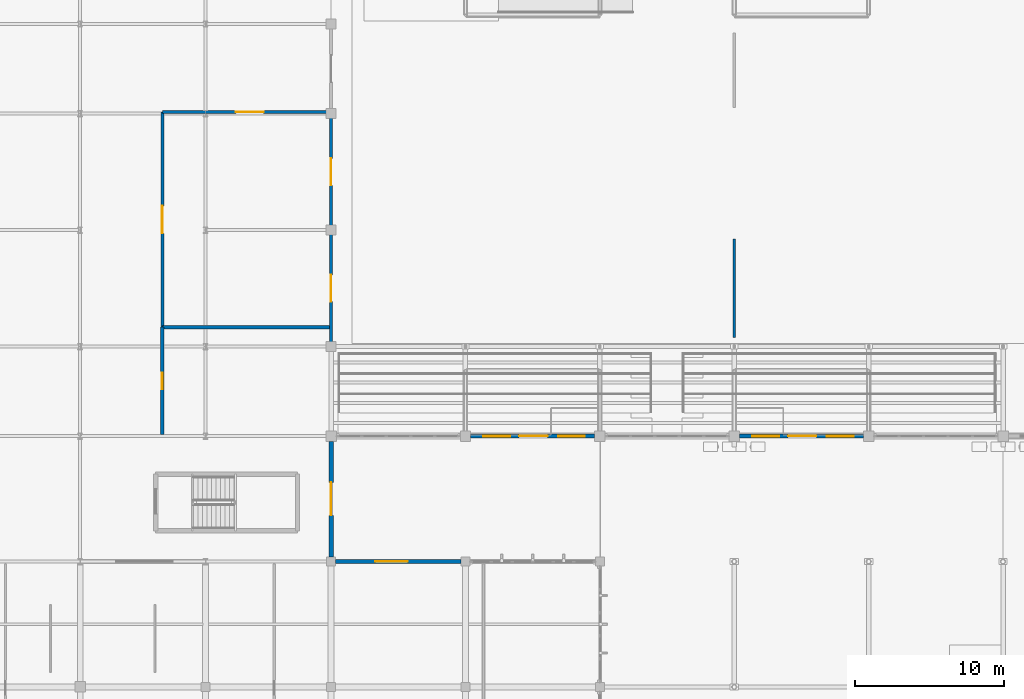
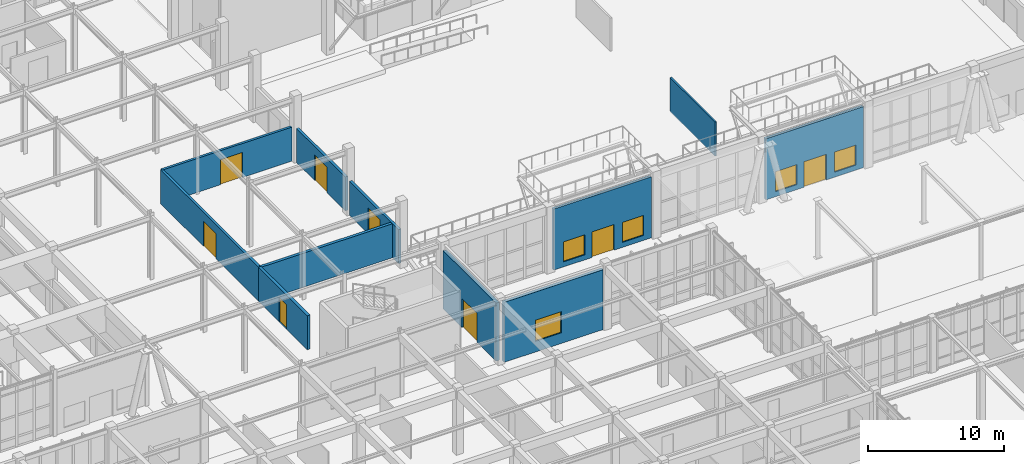
# One storey, part 79 of 110: 11 walls, 8 doors, 5 windows, 13 openings.
"""IFC4 building model written with IfcOpenShell, lengths in metres."""

from ifc_helpers import new_model, si_unit, direction, frame, frame_2d, origin, place, context, subcontext, project, spatial, rectangle, extrude, material, layer, layer_set, type_object, element, fill, save


model = new_model("IFC4")

# Units and contexts
model_context = context("Model", 3, precision=1e-05, world=origin(), true_north=direction((0.0, 1.0)))
body_context = subcontext(model_context, "Body", "Model", "MODEL_VIEW")
ifc_project = project(units=[si_unit("LENGTHUNIT", "METRE"), si_unit("AREAUNIT", "SQUARE_METRE"), si_unit("VOLUMEUNIT", "CUBIC_METRE"), si_unit("PLANEANGLEUNIT", "RADIAN"), si_unit("MASSUNIT", "GRAM", prefix="KILO")], contexts=[model_context])

# Site, building, storey
site_placement = place(None, origin())
site = spatial("IfcSite", under=ifc_project, at=site_placement, CompositionType="ELEMENT")
building_placement = place(site_placement, origin())
building = spatial("IfcBuilding", under=site, at=building_placement, Name="Tizgana Railside Sports Hall", CompositionType="ELEMENT")
storey_placement = place(building_placement, origin())
storey = spatial("IfcBuildingStorey", under=building, at=storey_placement, Name="L00", CompositionType="ELEMENT", Elevation=0.0)

# Wall, opening, door
ifc_material_1 = material(Name="Masonry blockwork", Category="masonry")
ifc_layer_1 = layer(ifc_material_1, 0.199951171875, Name="Masonry blockwork")
ifc_layer_set_1 = layer_set([ifc_layer_1], Name="Masonry blockwork")
wall_type_1 = type_object("IfcWallType", Name="Corridor Compartment Partition 200", PredefinedType="STANDARD", material=ifc_layer_set_1)
wall_1_placement = place(storey_placement, frame((68.5, 48.10009765625, 0.0), z_axis=(0.0, 0.0, 1.0), x_axis=(0.0, 1.0, 0.0)))
wall_1 = element("IfcWall", 1, at=wall_1_placement, inside=storey, type_object=wall_type_1, Name="L00 Partition PWAL-0257", PredefinedType="STANDARD", context=body_context, shape_type="SweptSolid", body=[
    extrude(rectangle(XDim=14.39990234375, YDim=0.199951171875, at=frame_2d((7.199951171875, 0.0))), origin(), (0.0, 0.0, 1.0), 3.050048828125),
])
opening_1_placement = place(wall_1_placement, frame((6.27490234375, 0.0, 0.0)))
opening_1 = element("IfcOpeningElement", 2, at=opening_1_placement, cuts=wall_1, Name="Opening D-0247", PredefinedType="OPENING", context=body_context, shape_type="SweptSolid", body=[
    extrude(rectangle(XDim=1.85009765625, YDim=2.25, at=frame_2d((0.925048828125, 1.125))), frame((0.0, 0.10986328125, 0.0), z_axis=(0.0, -1.0, 0.0), x_axis=(1.0, 0.0, 0.0)), (0.0, 0.0, 1.0), 0.219970703125),
])
ifc_material_2 = material(Name="Timber fire leaf", Category="wood")
door_type_1 = type_object("IfcDoorType", Name="Corridor Cross-Fire Double Door 1850x2250", OperationType="NOTDEFINED", PredefinedType="DOOR", material=ifc_material_2)
door_1_placement = place(opening_1_placement, origin())
door_1 = element("IfcDoor", 3, at=door_1_placement, inside=storey, type_object=door_type_1, Name="L00 Door D-0247", OperationType="DOUBLE_DOOR_SINGLE_SWING", OverallHeight=2.25, OverallWidth=1.85009765625, PredefinedType="DOOR", context=body_context, shape_type="SweptSolid", body=[
    extrude(rectangle(XDim=1.85009765625, YDim=2.25, at=frame_2d((0.925048828125, 1.125))), frame((0.0, 0.02490234375, 0.0), z_axis=(0.0, -1.0, 0.0), x_axis=(1.0, 0.0, 0.0)), (0.0, 0.0, 1.0), 0.050048828125),
])
fill(opening_1, door_1)

wall_2_placement = place(storey_placement, frame((68.5, 62.5, 0.0), z_axis=(0.0, 0.0, 1.0), x_axis=(1.0, 0.0, 0.0)))
wall_2 = element("IfcWall", 4, at=wall_2_placement, inside=storey, type_object=wall_type_1, Name="L00 Partition PWAL-0258", PredefinedType="STANDARD", context=body_context, shape_type="SweptSolid", body=[
    extrude(rectangle(XDim=11.0, YDim=0.199951171875, at=frame_2d((5.5, 0.0))), origin(), (0.0, 0.0, 1.0), 3.050048828125),
])
opening_2_placement = place(wall_2_placement, frame((4.925048828125, 0.0, 0.0)))
opening_2 = element("IfcOpeningElement", 5, at=opening_2_placement, cuts=wall_2, Name="Opening D-0248", PredefinedType="OPENING", context=body_context, shape_type="SweptSolid", body=[
    extrude(rectangle(XDim=1.85009765625, YDim=2.25, at=frame_2d((0.925048828125, 1.125))), frame((0.0, 0.10986328125, 0.0), z_axis=(0.0, -1.0, 0.0), x_axis=(1.0, 0.0, 0.0)), (0.0, 0.0, 1.0), 0.219970703125),
])
door_2_placement = place(opening_2_placement, origin())
door_2 = element("IfcDoor", 6, at=door_2_placement, inside=storey, type_object=door_type_1, Name="L00 Door D-0248", OperationType="DOUBLE_DOOR_SINGLE_SWING", OverallHeight=2.25, OverallWidth=1.85009765625, PredefinedType="DOOR", context=body_context, shape_type="SweptSolid", body=[
    extrude(rectangle(XDim=1.85009765625, YDim=2.25, at=frame_2d((0.925048828125, 1.125))), frame((0.0, 0.02490234375, 0.0), z_axis=(0.0, -1.0, 0.0), x_axis=(1.0, 0.0, 0.0)), (0.0, 0.0, 1.0), 0.050048828125),
])
fill(opening_2, door_2)

# Wall
ifc_material_3 = material(Name="Acoustic perforated timber", Category="wood")
ifc_layer_2 = layer(ifc_material_3, 0.139892578125, Name="Acoustic perforated timber")
ifc_layer_set_2 = layer_set([ifc_layer_2], Name="Acoustic perforated timber")
wall_type_2 = type_object("IfcWallType", Name="Court Acoustic Divider Wall 140", PredefinedType="MOVABLE", material=ifc_layer_set_2)
wall_3_placement = place(storey_placement, frame((106.800048828125, 47.39990234375, 0.0), z_axis=(0.0, 0.0, 1.0), x_axis=(0.0, 1.0, 0.0)))
element("IfcWall", 7, at=wall_3_placement, inside=storey, type_object=wall_type_2, Name="L00 Partition PWAL-0294", PredefinedType="MOVABLE", context=body_context, shape_type="SweptSolid", body=[
    extrude(rectangle(XDim=6.60009765625, YDim=0.139892578125, at=frame_2d((3.300048828125, 0.0))), origin(), (0.0, 0.0, 1.0), 3.050048828125),
])

# Wall, opening, door
ifc_layer_3 = layer(ifc_material_1, 0.219970703125, Name="Masonry blockwork")
ifc_layer_set_3 = layer_set([ifc_layer_3], Name="Masonry blockwork")
wall_type_3 = type_object("IfcWallType", Name="Equipment Store Fire Wall 220", PredefinedType="STANDARD", material=ifc_layer_set_3)
wall_4_placement = place(storey_placement, frame((79.800048828125, 47.10009765625, 0.0), z_axis=(0.0, 0.0, 1.0), x_axis=(0.0, 1.0, 0.0)))
wall_4 = element("IfcWall", 8, at=wall_4_placement, inside=storey, type_object=wall_type_3, Name="L00 Partition PWAL-0274", PredefinedType="STANDARD", context=body_context, shape_type="SweptSolid", body=[
    extrude(rectangle(XDim=7.199951171875, YDim=0.219970703125, at=frame_2d((3.60009765625, 0.0))), origin(), (0.0, 0.0, 1.0), 3.050048828125),
])
opening_3_placement = place(wall_4_placement, frame((2.699951171875, 0.0, 0.0)))
opening_3 = element("IfcOpeningElement", 9, at=opening_3_placement, cuts=wall_4, Name="Opening D-0262", PredefinedType="OPENING", context=body_context, shape_type="SweptSolid", body=[
    extrude(rectangle(XDim=1.800048828125, YDim=2.300048828125, at=frame_2d((0.89990234375, 1.14990234375))), frame((0.0, 0.119873046875, 0.0), z_axis=(0.0, -1.0, 0.0), x_axis=(1.0, 0.0, 0.0)), (0.0, 0.0, 1.0), 0.239990234375),
])
ifc_material_4 = material(Name="Solid beech timber", Category="wood")
door_type_2 = type_object("IfcDoorType", Name="Spectator Vomitory Double Door 1800x2300", OperationType="NOTDEFINED", PredefinedType="DOOR", material=ifc_material_4)
door_3_placement = place(opening_3_placement, origin())
door_3 = element("IfcDoor", 10, at=door_3_placement, inside=storey, type_object=door_type_2, Name="L00 Door D-0262", OperationType="DOUBLE_DOOR_SINGLE_SWING", OverallHeight=2.300048828125, OverallWidth=1.800048828125, PredefinedType="DOOR", context=body_context, shape_type="SweptSolid", body=[
    extrude(rectangle(XDim=1.800048828125, YDim=2.300048828125, at=frame_2d((0.89990234375, 1.14990234375))), frame((0.0, 0.02490234375, 0.0), z_axis=(0.0, -1.0, 0.0), x_axis=(1.0, 0.0, 0.0)), (0.0, 0.0, 1.0), 0.050048828125),
])
fill(opening_3, door_3)

wall_5_placement = place(storey_placement, frame((79.800048828125, 54.89990234375, 0.0), z_axis=(0.0, 0.0, 1.0), x_axis=(0.0, 1.0, 0.0)))
wall_5 = element("IfcWall", 11, at=wall_5_placement, inside=storey, type_object=wall_type_3, Name="L00 Partition PWAL-0275", PredefinedType="STANDARD", context=body_context, shape_type="SweptSolid", body=[
    extrude(rectangle(XDim=7.2001953125, YDim=0.219970703125, at=frame_2d((3.60009765625, 0.0))), origin(), (0.0, 0.0, 1.0), 3.050048828125),
])
opening_4_placement = place(wall_5_placement, frame((2.699951171875, 0.0, 0.0)))
opening_4 = element("IfcOpeningElement", 12, at=opening_4_placement, cuts=wall_5, Name="Opening D-0263", PredefinedType="OPENING", context=body_context, shape_type="SweptSolid", body=[
    extrude(rectangle(XDim=1.800048828125, YDim=2.300048828125, at=frame_2d((0.89990234375, 1.14990234375))), frame((0.0, 0.119873046875, 0.0), z_axis=(0.0, -1.0, 0.0), x_axis=(1.0, 0.0, 0.0)), (0.0, 0.0, 1.0), 0.239990234375),
])
door_4_placement = place(opening_4_placement, origin())
door_4 = element("IfcDoor", 13, at=door_4_placement, inside=storey, type_object=door_type_2, Name="L00 Door D-0263", OperationType="DOUBLE_DOOR_SINGLE_SWING", OverallHeight=2.300048828125, OverallWidth=1.800048828125, PredefinedType="DOOR", context=body_context, shape_type="SweptSolid", body=[
    extrude(rectangle(XDim=1.800048828125, YDim=2.300048828125, at=frame_2d((0.89990234375, 1.14990234375))), frame((0.0, 0.02490234375, 0.0), z_axis=(0.0, -1.0, 0.0), x_axis=(1.0, 0.0, 0.0)), (0.0, 0.0, 1.0), 0.050048828125),
])
fill(opening_4, door_4)

# Wall, openings, door, windows
ifc_material_5 = material(Name="Cross-laminated timber CL24h", Category="wood")
ifc_layer_4 = layer(ifc_material_5, 0.25, Name="Cross-laminated timber CL24h")
ifc_layer_set_4 = layer_set([ifc_layer_4], Name="Cross-laminated timber CL24h")
wall_type_4 = type_object("IfcWallType", Name="Exterior Clerestory Spandrel 250", PredefinedType="STANDARD", material=ifc_layer_set_4)
wall_6_placement = place(storey_placement, frame((97.449951171875, 40.800048828125, 0.0), z_axis=(0.0, 0.0, 1.0), x_axis=(-1.0, 0.0, 0.0)))
wall_6 = element("IfcWall", 14, at=wall_6_placement, inside=storey, type_object=wall_type_4, Name="L00 Exterior Wall EWAL-0031", PredefinedType="STANDARD", context=body_context, shape_type="SweptSolid", body=[
    extrude(rectangle(XDim=8.300048828125, YDim=0.25, at=frame_2d((4.14990234375, 0.0))), origin(), (0.0, 0.0, 1.0), 5.47509765625),
])
opening_5_placement = place(wall_6_placement, frame((3.14990234375, 0.0, 0.0)))
opening_5 = element("IfcOpeningElement", 15, at=opening_5_placement, cuts=wall_6, Name="Opening D-0010", PredefinedType="OPENING", context=body_context, shape_type="SweptSolid", body=[
    extrude(rectangle(XDim=1.89990234375, YDim=2.300048828125, at=frame_2d((0.949951171875, 1.14990234375))), frame((0.0, 0.135009765625, 0.0), z_axis=(0.0, -1.0, 0.0), x_axis=(1.0, 0.0, 0.0)), (0.0, 0.0, 1.0), 0.27001953125),
])
opening_6_placement = place(wall_6_placement, frame((0.64990234375, 0.0, 0.449951171875)))
opening_6 = element("IfcOpeningElement", 16, at=opening_6_placement, cuts=wall_6, Name="Opening W-0023", PredefinedType="OPENING", context=body_context, shape_type="SweptSolid", body=[
    extrude(rectangle(XDim=1.800048828125, YDim=1.800048828125, at=frame_2d((0.89990234375, 0.89990234375))), frame((0.0, 0.135009765625, 0.0), z_axis=(0.0, -1.0, 0.0), x_axis=(1.0, 0.0, 0.0)), (0.0, 0.0, 1.0), 0.27001953125),
])
opening_7_placement = place(wall_6_placement, frame((5.64990234375, 0.0, 0.449951171875)))
opening_7 = element("IfcOpeningElement", 17, at=opening_7_placement, cuts=wall_6, Name="Opening W-0024", PredefinedType="OPENING", context=body_context, shape_type="SweptSolid", body=[
    extrude(rectangle(XDim=1.800048828125, YDim=1.800048828125, at=frame_2d((0.89990234375, 0.89990234375))), frame((0.0, 0.135009765625, 0.0), z_axis=(0.0, -1.0, 0.0), x_axis=(1.0, 0.0, 0.0)), (0.0, 0.0, 1.0), 0.27001953125),
])
ifc_material_6 = material(Name="Galvanised steel sheet", Category="steel")
door_type_3 = type_object("IfcDoorType", Name="Court Direct Emergency Exit Door 1900x2300", OperationType="NOTDEFINED", PredefinedType="DOOR", material=ifc_material_6)
door_5_placement = place(opening_5_placement, origin())
door_5 = element("IfcDoor", 18, at=door_5_placement, inside=storey, type_object=door_type_3, Name="L00 Door D-0010", OperationType="DOUBLE_DOOR_SINGLE_SWING", OverallHeight=2.300048828125, OverallWidth=1.89990234375, PredefinedType="DOOR", context=body_context, shape_type="SweptSolid", body=[
    extrude(rectangle(XDim=1.89990234375, YDim=2.300048828125, at=frame_2d((0.949951171875, 1.14990234375))), frame((0.0, 0.02490234375, 0.0), z_axis=(0.0, -1.0, 0.0), x_axis=(1.0, 0.0, 0.0)), (0.0, 0.0, 1.0), 0.050048828125),
])
fill(opening_5, door_5)
ifc_material_7 = material(Name="Double low-E laminated glass", Category="glass")
window_type_1 = type_object("IfcWindowType", Name="Upper Hall Clustered Window 1800x1800", PartitioningType="SINGLE_PANEL", PredefinedType="WINDOW", material=ifc_material_7)
window_1_placement = place(opening_6_placement, origin())
window_1 = element("IfcWindow", 19, at=window_1_placement, inside=storey, type_object=window_type_1, Name="L00 Window W-0023", OverallHeight=1.800048828125, OverallWidth=1.800048828125, PartitioningType="SINGLE_PANEL", PredefinedType="WINDOW", context=body_context, shape_type="SweptSolid", body=[
    extrude(rectangle(XDim=1.800048828125, YDim=1.800048828125, at=frame_2d((0.89990234375, 0.89990234375))), frame((0.0, 0.030029296875, 0.0), z_axis=(0.0, -1.0, 0.0), x_axis=(1.0, 0.0, 0.0)), (0.0, 0.0, 1.0), 0.06005859375),
])
fill(opening_6, window_1)
window_2_placement = place(opening_7_placement, origin())
window_2 = element("IfcWindow", 20, at=window_2_placement, inside=storey, type_object=window_type_1, Name="L00 Window W-0024", OverallHeight=1.800048828125, OverallWidth=1.800048828125, PartitioningType="SINGLE_PANEL", PredefinedType="WINDOW", context=body_context, shape_type="SweptSolid", body=[
    extrude(rectangle(XDim=1.800048828125, YDim=1.800048828125, at=frame_2d((0.89990234375, 0.89990234375))), frame((0.0, 0.030029296875, 0.0), z_axis=(0.0, -1.0, 0.0), x_axis=(1.0, 0.0, 0.0)), (0.0, 0.0, 1.0), 0.06005859375),
])
fill(opening_7, window_2)

wall_7_placement = place(storey_placement, frame((115.449951171875, 40.800048828125, 0.0), z_axis=(0.0, 0.0, 1.0), x_axis=(-1.0, 0.0, 0.0)))
wall_7 = element("IfcWall", 21, at=wall_7_placement, inside=storey, type_object=wall_type_4, Name="L00 Exterior Wall EWAL-0040", PredefinedType="STANDARD", context=body_context, shape_type="SweptSolid", body=[
    extrude(rectangle(XDim=8.300048828125, YDim=0.25, at=frame_2d((4.14990234375, 0.0))), origin(), (0.0, 0.0, 1.0), 5.47509765625),
])
opening_8_placement = place(wall_7_placement, frame((3.14990234375, 0.0, 0.0)))
opening_8 = element("IfcOpeningElement", 22, at=opening_8_placement, cuts=wall_7, Name="Opening D-0012", PredefinedType="OPENING", context=body_context, shape_type="SweptSolid", body=[
    extrude(rectangle(XDim=1.89990234375, YDim=2.300048828125, at=frame_2d((0.949951171875, 1.14990234375))), frame((0.0, 0.135009765625, 0.0), z_axis=(0.0, -1.0, 0.0), x_axis=(1.0, 0.0, 0.0)), (0.0, 0.0, 1.0), 0.27001953125),
])
opening_9_placement = place(wall_7_placement, frame((0.64990234375, 0.0, 0.449951171875)))
opening_9 = element("IfcOpeningElement", 23, at=opening_9_placement, cuts=wall_7, Name="Opening W-0031", PredefinedType="OPENING", context=body_context, shape_type="SweptSolid", body=[
    extrude(rectangle(XDim=1.800048828125, YDim=1.800048828125, at=frame_2d((0.89990234375, 0.89990234375))), frame((0.0, 0.135009765625, 0.0), z_axis=(0.0, -1.0, 0.0), x_axis=(1.0, 0.0, 0.0)), (0.0, 0.0, 1.0), 0.27001953125),
])
opening_10_placement = place(wall_7_placement, frame((5.64990234375, 0.0, 0.449951171875)))
opening_10 = element("IfcOpeningElement", 24, at=opening_10_placement, cuts=wall_7, Name="Opening W-0032", PredefinedType="OPENING", context=body_context, shape_type="SweptSolid", body=[
    extrude(rectangle(XDim=1.800048828125, YDim=1.800048828125, at=frame_2d((0.89990234375, 0.89990234375))), frame((0.0, 0.135009765625, 0.0), z_axis=(0.0, -1.0, 0.0), x_axis=(1.0, 0.0, 0.0)), (0.0, 0.0, 1.0), 0.27001953125),
])
door_6_placement = place(opening_8_placement, origin())
door_6 = element("IfcDoor", 25, at=door_6_placement, inside=storey, type_object=door_type_3, Name="L00 Door D-0012", OperationType="DOUBLE_DOOR_SINGLE_SWING", OverallHeight=2.300048828125, OverallWidth=1.89990234375, PredefinedType="DOOR", context=body_context, shape_type="SweptSolid", body=[
    extrude(rectangle(XDim=1.89990234375, YDim=2.300048828125, at=frame_2d((0.949951171875, 1.14990234375))), frame((0.0, 0.02490234375, 0.0), z_axis=(0.0, -1.0, 0.0), x_axis=(1.0, 0.0, 0.0)), (0.0, 0.0, 1.0), 0.050048828125),
])
fill(opening_8, door_6)
window_3_placement = place(opening_9_placement, origin())
window_3 = element("IfcWindow", 26, at=window_3_placement, inside=storey, type_object=window_type_1, Name="L00 Window W-0031", OverallHeight=1.800048828125, OverallWidth=1.800048828125, PartitioningType="SINGLE_PANEL", PredefinedType="WINDOW", context=body_context, shape_type="SweptSolid", body=[
    extrude(rectangle(XDim=1.800048828125, YDim=1.800048828125, at=frame_2d((0.89990234375, 0.89990234375))), frame((0.0, 0.030029296875, 0.0), z_axis=(0.0, -1.0, 0.0), x_axis=(1.0, 0.0, 0.0)), (0.0, 0.0, 1.0), 0.06005859375),
])
fill(opening_9, window_3)
window_4_placement = place(opening_10_placement, origin())
window_4 = element("IfcWindow", 27, at=window_4_placement, inside=storey, type_object=window_type_1, Name="L00 Window W-0032", OverallHeight=1.800048828125, OverallWidth=1.800048828125, PartitioningType="SINGLE_PANEL", PredefinedType="WINDOW", context=body_context, shape_type="SweptSolid", body=[
    extrude(rectangle(XDim=1.800048828125, YDim=1.800048828125, at=frame_2d((0.89990234375, 0.89990234375))), frame((0.0, 0.030029296875, 0.0), z_axis=(0.0, -1.0, 0.0), x_axis=(1.0, 0.0, 0.0)), (0.0, 0.0, 1.0), 0.06005859375),
])
fill(opening_10, window_4)

# Wall, opening, window
ifc_material_8 = material(Name="Precast concrete C40/50", Category="concrete")
ifc_layer_5 = layer(ifc_material_8, 0.27001953125, Name="Precast concrete C40/50")
ifc_layer_set_5 = layer_set([ifc_layer_5], Name="Precast concrete C40/50")
wall_type_5 = type_object("IfcWallType", Name="Exterior Studio Facade Wall 270", PredefinedType="STANDARD", material=ifc_layer_set_5)
wall_8_placement = place(storey_placement, frame((80.090087890625, 32.39990234375, 0.0), z_axis=(0.0, 0.0, 1.0), x_axis=(1.0, 0.0, 0.0)))
wall_8 = element("IfcWall", 28, at=wall_8_placement, inside=storey, type_object=wall_type_5, Name="L00 Exterior Wall EWAL-0081", PredefinedType="STANDARD", context=body_context, shape_type="SweptSolid", body=[
    extrude(rectangle(XDim=8.419921875, YDim=0.27001953125, at=frame_2d((4.2099609375, 0.0))), origin(), (0.0, 0.0, 1.0), 5.381103515625),
])
opening_11_placement = place(wall_8_placement, frame((2.659912109375, 0.0, 0.949951171875)))
opening_11 = element("IfcOpeningElement", 29, at=opening_11_placement, cuts=wall_8, Name="Opening W-0058", PredefinedType="OPENING", context=body_context, shape_type="SweptSolid", body=[
    extrude(rectangle(XDim=2.199951171875, YDim=1.89990234375, at=frame_2d((1.10009765625, 0.949951171875))), frame((0.0, 0.14501953125, 0.0), z_axis=(0.0, -1.0, 0.0), x_axis=(1.0, 0.0, 0.0)), (0.0, 0.0, 1.0), 0.2900390625),
])
window_type_2 = type_object("IfcWindowType", Name="Clinic Double Window 2200x1900", PartitioningType="SINGLE_PANEL", PredefinedType="WINDOW", material=ifc_material_7)
window_5_placement = place(opening_11_placement, origin())
window_5 = element("IfcWindow", 30, at=window_5_placement, inside=storey, type_object=window_type_2, Name="L00 Window W-0058", OverallHeight=1.89990234375, OverallWidth=2.199951171875, PartitioningType="SINGLE_PANEL", PredefinedType="WINDOW", context=body_context, shape_type="SweptSolid", body=[
    extrude(rectangle(XDim=2.199951171875, YDim=1.89990234375, at=frame_2d((1.10009765625, 0.949951171875))), frame((0.0, 0.030029296875, 0.0), z_axis=(0.0, -1.0, 0.0), x_axis=(1.0, 0.0, 0.0)), (0.0, 0.0, 1.0), 0.06005859375),
])
fill(opening_11, window_5)

# Wall, opening, door
ifc_layer_6 = layer(ifc_material_5, 0.2900390625, Name="Cross-laminated timber CL24h")
ifc_layer_set_6 = layer_set([ifc_layer_6], Name="Cross-laminated timber CL24h")
wall_type_6 = type_object("IfcWallType", Name="Exterior Timber-Backed Wall 290", PredefinedType="STANDARD", material=ifc_layer_set_6)
wall_9_placement = place(storey_placement, frame((79.800048828125, 40.449951171875, 0.0), z_axis=(0.0, 0.0, 1.0), x_axis=(0.0, -1.0, 0.0)))
wall_9 = element("IfcWall", 31, at=wall_9_placement, inside=storey, type_object=wall_type_6, Name="L00 Exterior Wall EWAL-0061", PredefinedType="STANDARD", context=body_context, shape_type="SweptSolid", body=[
    extrude(rectangle(XDim=7.760009765625, YDim=0.2900390625, at=frame_2d((3.8798828125, 0.0))), origin(), (0.0, 0.0, 1.0), 5.2109375),
])
opening_12_placement = place(wall_9_placement, frame((2.75, 0.0, 0.0)))
opening_12 = element("IfcOpeningElement", 32, at=opening_12_placement, cuts=wall_9, Name="Opening D-0020", PredefinedType="OPENING", context=body_context, shape_type="SweptSolid", body=[
    extrude(rectangle(XDim=2.199951171875, YDim=2.60009765625, at=frame_2d((1.10009765625, 1.300048828125))), frame((0.0, 0.155029296875, 0.0), z_axis=(0.0, -1.0, 0.0), x_axis=(1.0, 0.0, 0.0)), (0.0, 0.0, 1.0), 0.31005859375),
])
ifc_material_9 = material(Name="Anodised aluminium and glass", Category="aluminium")
door_type_4 = type_object("IfcDoorType", Name="Main Foyer Double Entrance Door 2200x2600", OperationType="NOTDEFINED", PredefinedType="DOOR", material=ifc_material_9)
door_7_placement = place(opening_12_placement, origin())
door_7 = element("IfcDoor", 33, at=door_7_placement, inside=storey, type_object=door_type_4, Name="L00 Door D-0020", OperationType="DOUBLE_DOOR_SINGLE_SWING", OverallHeight=2.60009765625, OverallWidth=2.199951171875, PredefinedType="DOOR", context=body_context, shape_type="SweptSolid", body=[
    extrude(rectangle(XDim=2.199951171875, YDim=2.60009765625, at=frame_2d((1.10009765625, 1.300048828125))), frame((0.0, 0.02490234375, 0.0), z_axis=(0.0, -1.0, 0.0), x_axis=(1.0, 0.0, 0.0)), (0.0, 0.0, 1.0), 0.050048828125),
])
fill(opening_12, door_7)

ifc_material_10 = material(Name="Concrete C35/45", Category="concrete")
ifc_layer_7 = layer(ifc_material_10, 0.239990234375, Name="Concrete C35/45")
ifc_layer_set_7 = layer_set([ifc_layer_7], Name="Concrete C35/45")
wall_type_7 = type_object("IfcWallType", Name="Firefighting Lobby Wall 240", PredefinedType="STANDARD", material=ifc_layer_set_7)
wall_10_placement = place(storey_placement, frame((68.5, 40.89990234375, 0.0), z_axis=(0.0, 0.0, 1.0), x_axis=(0.0, 1.0, 0.0)))
wall_10 = element("IfcWall", 34, at=wall_10_placement, inside=storey, type_object=wall_type_7, Name="L00 Partition PWAL-0255", PredefinedType="STANDARD", context=body_context, shape_type="SweptSolid", body=[
    extrude(rectangle(XDim=7.2001953125, YDim=0.239990234375, at=frame_2d((3.60009765625, 0.0))), origin(), (0.0, 0.0, 1.0), 3.050048828125),
])
opening_13_placement = place(wall_10_placement, frame((3.050048828125, 0.0, 0.0)))
opening_13 = element("IfcOpeningElement", 35, at=opening_13_placement, cuts=wall_10, Name="Opening D-0246", PredefinedType="OPENING", context=body_context, shape_type="SweptSolid", body=[
    extrude(rectangle(XDim=1.10009765625, YDim=2.199951171875, at=frame_2d((0.550048828125, 1.10009765625))), frame((0.0, 0.1298828125, 0.0), z_axis=(0.0, -1.0, 0.0), x_axis=(1.0, 0.0, 0.0)), (0.0, 0.0, 1.0), 0.260009765625),
])
door_type_5 = type_object("IfcDoorType", Name="Firefighting Lobby Fire Door 1100x2200", OperationType="NOTDEFINED", PredefinedType="DOOR", material=ifc_material_2)
door_8_placement = place(opening_13_placement, origin())
door_8 = element("IfcDoor", 36, at=door_8_placement, inside=storey, type_object=door_type_5, Name="L00 Door D-0246", OperationType="SINGLE_SWING_LEFT", OverallHeight=2.199951171875, OverallWidth=1.10009765625, PredefinedType="DOOR", context=body_context, shape_type="SweptSolid", body=[
    extrude(rectangle(XDim=1.10009765625, YDim=2.199951171875, at=frame_2d((0.550048828125, 1.10009765625))), frame((0.0, 0.02490234375, 0.0), z_axis=(0.0, -1.0, 0.0), x_axis=(1.0, 0.0, 0.0)), (0.0, 0.0, 1.0), 0.050048828125),
])
fill(opening_13, door_8)

# Wall
wall_11_placement = place(storey_placement, frame((68.5, 48.10009765625, 0.0), z_axis=(0.0, 0.0, 1.0), x_axis=(1.0, 0.0, 0.0)))
element("IfcWall", 37, at=wall_11_placement, inside=storey, type_object=wall_type_7, Name="L00 Partition PWAL-0256", PredefinedType="STANDARD", context=body_context, shape_type="SweptSolid", body=[
    extrude(rectangle(XDim=11.18505859375, YDim=0.239990234375, at=frame_2d((5.592529296875, 0.0))), origin(), (0.0, 0.0, 1.0), 3.050048828125),
])

save(model, "model.ifc")
